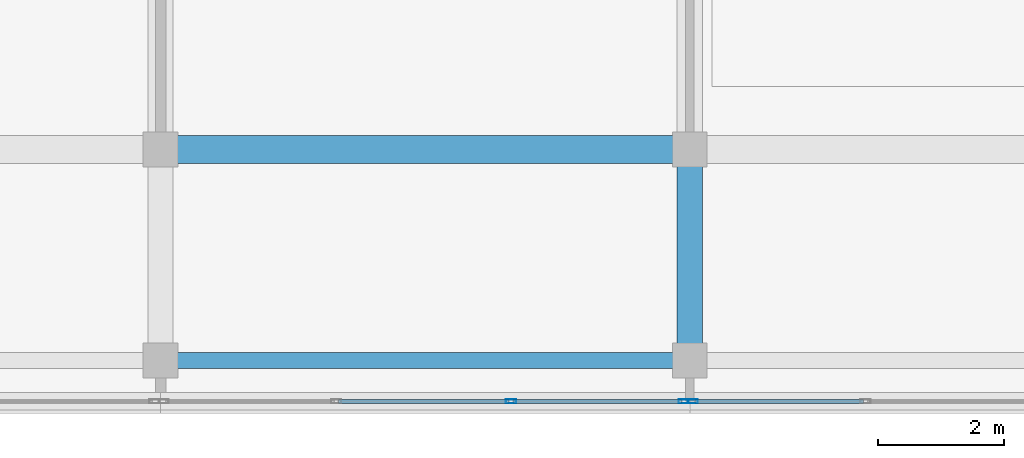
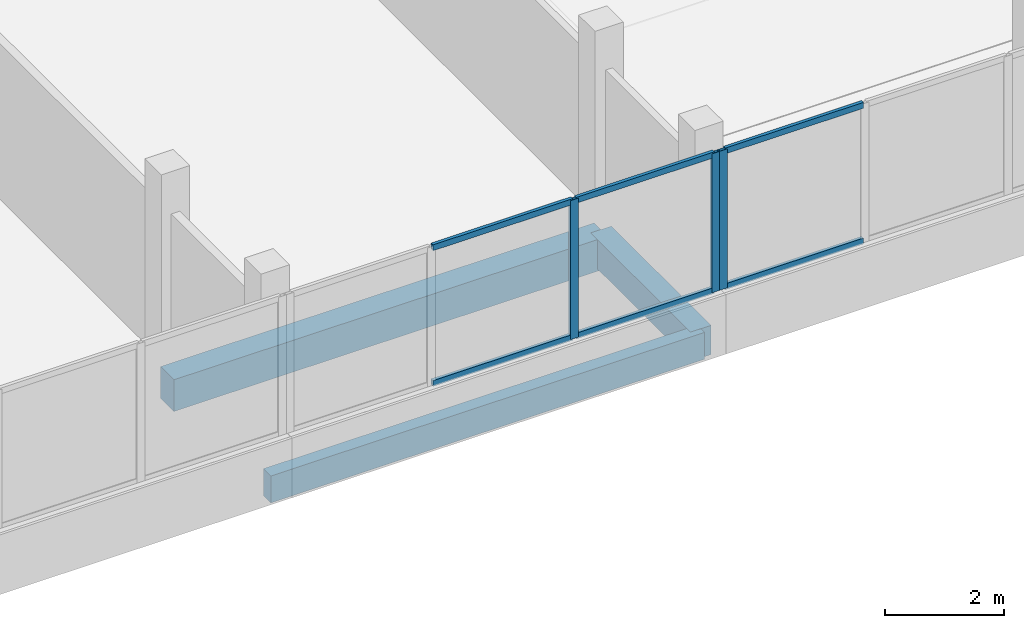
# One storey, part 28 of 66: 9 members, 3 beams, 2 elements without a shape of their own.
"""IFC4 building model written with IfcOpenShell, lengths in metres."""

from ifc_helpers import new_model, si_unit, direction, frame, origin, origin_2d, place, context, subcontext, project, spatial, rectangle, hollow_rectangle, extrude, material, material_profile, profile_set, type_object, element, aggregate, save


model = new_model("IFC4")

# Units and contexts
model_context = context("Model", 3, precision=1e-05, world=origin(), true_north=direction((0.0, 1.0)))
body_context = subcontext(model_context, "Body", "Model", "MODEL_VIEW")
ifc_project = project(units=[si_unit("LENGTHUNIT", "METRE"), si_unit("AREAUNIT", "SQUARE_METRE"), si_unit("VOLUMEUNIT", "CUBIC_METRE"), si_unit("PLANEANGLEUNIT", "RADIAN"), si_unit("MASSUNIT", "GRAM", prefix="KILO")], contexts=[model_context])

# Site, building, storey
site_placement = place(None, origin())
site = spatial("IfcSite", under=ifc_project, at=site_placement, CompositionType="ELEMENT")
building_placement = place(site_placement, origin())
building = spatial("IfcBuilding", under=site, at=building_placement, Name="Selatvlak General Hospital", CompositionType="ELEMENT")
storey_placement = place(building_placement, frame((0.0, 0.0, 31.35009765625)))
storey = spatial("IfcBuildingStorey", under=building, at=storey_placement, Name="L07", CompositionType="ELEMENT", Elevation=31.35009765625)

# Beams
ifc_material_1 = material(Name="Concrete C40/50", Category="concrete")
ifc_material_profile_1 = material_profile(ifc_material_1, rectangle(XDim=0.449951171875, YDim=0.64990234375, at=origin_2d()), Name="RC-BM 450x650")
ifc_profile_set_1 = profile_set([ifc_material_profile_1], Name="Concrete C40/50")
beam_type_1 = type_object("IfcBeamType", Name="BM-G04", PredefinedType="BEAM", material=ifc_profile_set_1)
beam_1_placement = place(storey_placement, frame((123.60009765625, 92.0, -0.59521484375), z_axis=(1.0, 0.0, 0.0), x_axis=(0.0, 1.0, 0.0)))
element("IfcBeam", 1, at=beam_1_placement, inside=storey, type_object=beam_type_1, Name="Beam BMR-L07-2393", PredefinedType="BEAM", context=body_context, shape_type="SweptSolid", body=[
    extrude(rectangle(XDim=0.449951171875, YDim=0.64990234375, at=origin_2d()), origin(), (0.0, 0.0, 1.0), 8.39990234375),
])
ifc_material_profile_2 = material_profile(ifc_material_1, rectangle(XDim=0.39990234375, YDim=0.60009765625, at=origin_2d()), Name="RC-BM 400x600")
ifc_profile_set_2 = profile_set([ifc_material_profile_2], Name="Concrete C40/50")
beam_type_2 = type_object("IfcBeamType", Name="BM-G05", PredefinedType="BEAM", material=ifc_profile_set_2)
beam_2_placement = place(storey_placement, frame((132.0, 88.64990234375, -0.570068359375), z_axis=(0.0, 1.0, 0.0), x_axis=(-1.0, 0.0, 0.0)))
element("IfcBeam", 2, at=beam_2_placement, inside=storey, type_object=beam_type_2, Name="Beam BMR-L07-2519", PredefinedType="BEAM", context=body_context, shape_type="SweptSolid", body=[
    extrude(rectangle(XDim=0.39990234375, YDim=0.60009765625, at=origin_2d()), origin(), (0.0, 0.0, 1.0), 3.35009765625),
])
ifc_material_profile_3 = material_profile(ifc_material_1, rectangle(XDim=0.25, YDim=0.550048828125, at=origin_2d()), Name="RC-SP 250x550")
ifc_profile_set_3 = profile_set([ifc_material_profile_3], Name="Concrete C40/50")
beam_type_3 = type_object("IfcBeamType", Name="BM-SP2", PredefinedType="SPANDREL", material=ifc_profile_set_3)
beam_3_placement = place(storey_placement, frame((123.60009765625, 88.64990234375, -0.545166015625), z_axis=(1.0, 0.0, 0.0), x_axis=(0.0, 1.0, 0.0)))
element("IfcBeam", 3, at=beam_3_placement, inside=storey, type_object=beam_type_3, Name="Beam BMR-L07-2374", PredefinedType="SPANDREL", context=body_context, shape_type="SweptSolid", body=[
    extrude(rectangle(XDim=0.25, YDim=0.550048828125, at=origin_2d()), origin(), (0.0, 0.0, 1.0), 8.39990234375),
])

# Curtain wall, member
ifc_material_2 = material(Name="Solar-control Low-E double glazing", Category="glass")
curtain_wall_type_1 = type_object("IfcCurtainWallType", Name="CW-CW-02", PredefinedType="USERDEFINED", material=ifc_material_2)
curtain_wall_1_placement = place(storey_placement, origin())
curtain_wall_1 = element("IfcCurtainWall", 4, at=curtain_wall_1_placement, inside=storey, type_object=curtain_wall_type_1, Name="Glazed facade curtain wall CW-L07-0666", ObjectType="UNITISED CURTAIN WALL", PredefinedType="USERDEFINED")
ifc_material_3 = material(Name="Dark anodised aluminium mullion", Category="aluminium")
ifc_material_profile_4 = material_profile(ifc_material_3, hollow_rectangle(XDim=0.06494140625, YDim=0.159912109375, WallThickness=0.00390625, at=origin_2d()), Name="AL-MUL 65x160x4")
ifc_profile_set_4 = profile_set([ifc_material_profile_4], Name="Dark anodised aluminium mullion")
member_type_1 = type_object("IfcMemberType", Name="CWM-01", PredefinedType="MULLION", material=ifc_profile_set_4)
member_1_placement = place(storey_placement, frame((132.047607421875, 88.0009765625, 0.93994140625), z_axis=(0.0, 0.0, 1.0), x_axis=(0.0, -1.0, 0.0)))
member_1 = element("IfcMember", 5, at=member_1_placement, type_object=member_type_1, Name="CW-02 mullion 4", PredefinedType="MULLION", context=body_context, shape_type="SweptSolid", body=[
    extrude(hollow_rectangle(XDim=0.06494140625, YDim=0.159912109375, WallThickness=0.00390625, at=origin_2d()), origin(), (0.0, 0.0, 1.0), 2.844970703125),
])

# Curtain wall, members
curtain_wall_type_2 = type_object("IfcCurtainWallType", Name="CW-CW-01", PredefinedType="USERDEFINED", material=ifc_material_2)
curtain_wall_2_placement = place(storey_placement, origin())
curtain_wall_2 = element("IfcCurtainWall", 6, at=curtain_wall_2_placement, inside=storey, type_object=curtain_wall_type_2, Name="Glazed facade curtain wall CW-L07-0667", ObjectType="UNITISED CURTAIN WALL", PredefinedType="USERDEFINED")
member_2_placement = place(storey_placement, frame((131.902587890625, 88.0009765625, 0.93994140625), z_axis=(0.0, 0.0, 1.0), x_axis=(0.0, -1.0, 0.0)))
member_2 = element("IfcMember", 7, at=member_2_placement, type_object=member_type_1, Name="CW-01 mullion 1", PredefinedType="MULLION", context=body_context, shape_type="SweptSolid", body=[
    extrude(hollow_rectangle(XDim=0.06494140625, YDim=0.159912109375, WallThickness=0.00390625, at=origin_2d()), origin(), (0.0, 0.0, 1.0), 2.844970703125),
])
member_3_placement = place(storey_placement, frame((129.16162109375, 88.0009765625, 0.93994140625), z_axis=(0.0, 0.0, 1.0), x_axis=(0.0, -1.0, 0.0)))
member_3 = element("IfcMember", 8, at=member_3_placement, type_object=member_type_1, Name="CW-01 mullion 2", PredefinedType="MULLION", context=body_context, shape_type="SweptSolid", body=[
    extrude(hollow_rectangle(XDim=0.06494140625, YDim=0.159912109375, WallThickness=0.00390625, at=origin_2d()), origin(), (0.0, 0.0, 1.0), 2.844970703125),
])

# Member
ifc_material_profile_5 = material_profile(ifc_material_3, hollow_rectangle(XDim=0.06494140625, YDim=0.1201171875, WallThickness=0.00390625, at=origin_2d()), Name="AL-TRN 65x120x4")
ifc_profile_set_5 = profile_set([ifc_material_profile_5], Name="Dark anodised aluminium mullion")
member_type_2 = type_object("IfcMemberType", Name="CWT-01", PredefinedType="USERDEFINED", material=ifc_profile_set_5)
member_4_placement = place(storey_placement, frame((134.755859375, 88.0009765625, 0.972412109375), z_axis=(-1.0, 0.0, 0.0), x_axis=(0.0, -1.0, 0.0)))
member_4 = element("IfcMember", 9, at=member_4_placement, type_object=member_type_2, Name="CW-02 transom 3.1", ObjectType="TRANSOM", PredefinedType="USERDEFINED", context=body_context, shape_type="SweptSolid", body=[
    extrude(hollow_rectangle(XDim=0.06494140625, YDim=0.1201171875, WallThickness=0.00390625, at=origin_2d()), origin(), (0.0, 0.0, 1.0), 2.67578125),
])

member_5_placement = place(storey_placement, frame((134.755859375, 88.0009765625, 3.75244140625), z_axis=(-1.0, 0.0, 0.0), x_axis=(0.0, -1.0, 0.0)))
member_5 = element("IfcMember", 10, at=member_5_placement, type_object=member_type_2, Name="CW-02 transom 3.2", ObjectType="TRANSOM", PredefinedType="USERDEFINED", context=body_context, shape_type="SweptSolid", body=[
    extrude(hollow_rectangle(XDim=0.06494140625, YDim=0.1201171875, WallThickness=0.00390625, at=origin_2d()), origin(), (0.0, 0.0, 1.0), 2.67578125),
])

aggregate(curtain_wall_1, [member_1, member_4, member_5])

member_6_placement = place(storey_placement, frame((131.8701171875, 88.0009765625, 0.972412109375), z_axis=(-1.0, 0.0, 0.0), x_axis=(0.0, -1.0, 0.0)))
member_6 = element("IfcMember", 11, at=member_6_placement, type_object=member_type_2, Name="CW-01 transom 1.1", ObjectType="TRANSOM", PredefinedType="USERDEFINED", context=body_context, shape_type="SweptSolid", body=[
    extrude(hollow_rectangle(XDim=0.06494140625, YDim=0.1201171875, WallThickness=0.00390625, at=origin_2d()), origin(), (0.0, 0.0, 1.0), 2.676025390625),
])

member_7_placement = place(storey_placement, frame((131.8701171875, 88.0009765625, 3.75244140625), z_axis=(-1.0, 0.0, 0.0), x_axis=(0.0, -1.0, 0.0)))
member_7 = element("IfcMember", 12, at=member_7_placement, type_object=member_type_2, Name="CW-01 transom 1.2", ObjectType="TRANSOM", PredefinedType="USERDEFINED", context=body_context, shape_type="SweptSolid", body=[
    extrude(hollow_rectangle(XDim=0.06494140625, YDim=0.1201171875, WallThickness=0.00390625, at=origin_2d()), origin(), (0.0, 0.0, 1.0), 2.676025390625),
])

member_8_placement = place(storey_placement, frame((129.129150390625, 88.0009765625, 0.972412109375), z_axis=(-1.0, 0.0, 0.0), x_axis=(0.0, -1.0, 0.0)))
member_8 = element("IfcMember", 13, at=member_8_placement, type_object=member_type_2, Name="CW-01 transom 2.1", ObjectType="TRANSOM", PredefinedType="USERDEFINED", context=body_context, shape_type="SweptSolid", body=[
    extrude(hollow_rectangle(XDim=0.06494140625, YDim=0.1201171875, WallThickness=0.00390625, at=origin_2d()), origin(), (0.0, 0.0, 1.0), 2.708251953125),
])

member_9_placement = place(storey_placement, frame((129.129150390625, 88.0009765625, 3.75244140625), z_axis=(-1.0, 0.0, 0.0), x_axis=(0.0, -1.0, 0.0)))
member_9 = element("IfcMember", 14, at=member_9_placement, type_object=member_type_2, Name="CW-01 transom 2.2", ObjectType="TRANSOM", PredefinedType="USERDEFINED", context=body_context, shape_type="SweptSolid", body=[
    extrude(hollow_rectangle(XDim=0.06494140625, YDim=0.1201171875, WallThickness=0.00390625, at=origin_2d()), origin(), (0.0, 0.0, 1.0), 2.708251953125),
])

aggregate(curtain_wall_2, [member_2, member_3, member_6, member_7, member_8, member_9])

save(model, "model.ifc")
